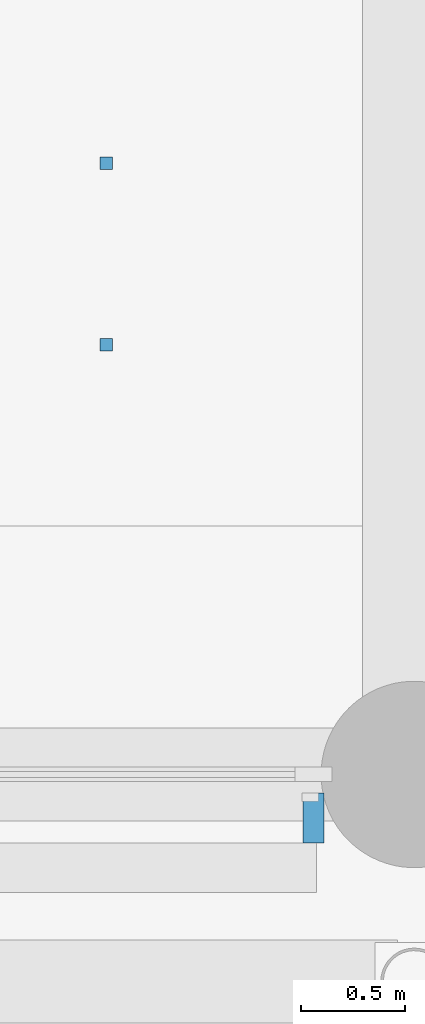
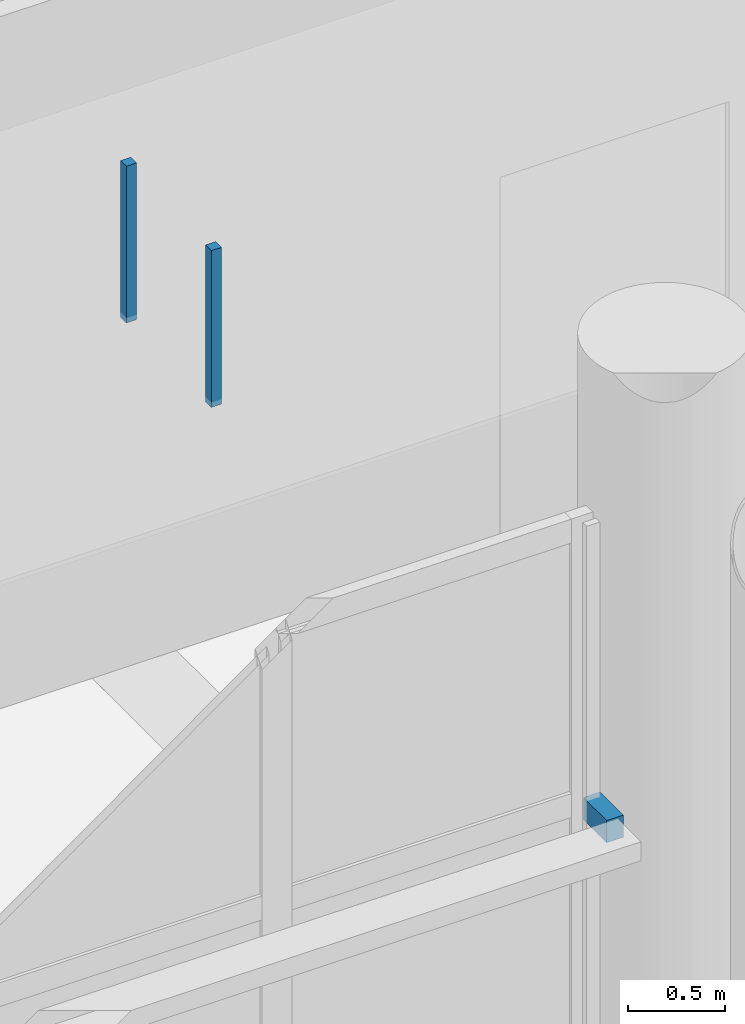
# One storey, part 71 of 140: 3 discrete accessories.
"""IFC4 building model written with IfcOpenShell, lengths in metres."""

import ifcopenshell
import ifcopenshell.guid

model = None  # the IFC model being written
_history = None  # IfcOwnerHistory: only IFC2X3 demands one
_inside = {}  # id of a spatial element -> (the spatial element, [elements in it])
_under = {}  # id of a project, library or spatial element -> (it, [spatial elements below it])
_declared = {}  # id of a project -> (the project, [libraries it declares])
_typed = {}  # id of a type object -> (the type object, [elements of that type])
_made_of = {}  # id of a material, layer set ... -> (it, [elements and type objects made of it])


def new_model(schema):
    """Start an empty IFC model of exactly this schema.

    Asked for "IFC4X3", IfcOpenShell would pick the latest addendum, in which some entities
    have other attributes; the version numbers below select the first issue.
    IFC2X3 requires an IfcOwnerHistory on every rooted entity: one is made here for all.
    """
    global model, _history
    if schema == "IFC4X3":
        model = ifcopenshell.file(schema_version=(4, 3, 0, 0))
    else:
        model = ifcopenshell.file(schema=schema)
    _inside.clear()
    _under.clear()
    _declared.clear()
    _typed.clear()
    _made_of.clear()
    _history = None
    if model.schema == "IFC2X3":
        org = make("IfcOrganization", Name="unknown")
        user = make(
            "IfcPersonAndOrganization",
            ThePerson=make("IfcPerson", FamilyName="unknown"),
            TheOrganization=org,
        )
        app = make(
            "IfcApplication",
            ApplicationDeveloper=org,
            Version="unknown",
            ApplicationFullName="unknown",
            ApplicationIdentifier="unknown",
        )
        _history = make(
            "IfcOwnerHistory",
            OwningUser=user,
            OwningApplication=app,
            ChangeAction="ADDED",
            CreationDate=0,
        )
    return model


def make(cls, **values):
    """One entity of the class cls with the attributes given. An attribute that is None is left unset."""
    return model.create_entity(
        cls, **{name: value for name, value in values.items() if value is not None}
    )


def rooted(cls, **values):
    """An entity with a GlobalId (a new one), such as an element, a storey or a relation."""
    return make(cls, GlobalId=ifcopenshell.guid.new(), OwnerHistory=_history, **values)


def si_unit(unit_type, name, prefix=None):
    """IfcSIUnit, for example si_unit("LENGTHUNIT", "METRE", prefix="MILLI")."""
    return make("IfcSIUnit", UnitType=unit_type, Prefix=prefix, Name=name)


def assignment(units):
    """IfcUnitAssignment: the units of a project."""
    return None if units is None else make("IfcUnitAssignment", Units=units)


def point(xyz):
    """IfcCartesianPoint."""
    return None if xyz is None else make("IfcCartesianPoint", Coordinates=xyz)


def direction(xyz):
    """IfcDirection."""
    return None if xyz is None else make("IfcDirection", DirectionRatios=xyz)


def frame(location, z_axis=None, x_axis=None):
    """IfcAxis2Placement3D, a coordinate frame: its origin and axes. An axis left out is left unset."""
    return make(
        "IfcAxis2Placement3D",
        Location=point(location),
        Axis=direction(z_axis),
        RefDirection=direction(x_axis),
    )


def frame_2d(location, x_axis=None):
    """IfcAxis2Placement2D, a coordinate frame in the plane: its origin and x axis."""
    return make(
        "IfcAxis2Placement2D", Location=point(location), RefDirection=direction(x_axis)
    )


def origin():
    """The frame at (0, 0, 0) with its axes left unset."""
    return frame((0.0, 0.0, 0.0))


def origin_2d():
    """The frame at (0, 0) in the plane with its x axis left unset."""
    return frame_2d((0.0, 0.0))


def place(relative_to, where):
    """IfcLocalPlacement: puts the frame where relative to a parent placement (None: the world)."""
    return make(
        "IfcLocalPlacement", PlacementRelTo=relative_to, RelativePlacement=where
    )


def context(
    kind, dimensions, precision=None, world=None, true_north=None, identifier=None
):
    """IfcGeometricRepresentationContext, for example the 3D "Model" context."""
    return make(
        "IfcGeometricRepresentationContext",
        ContextIdentifier=identifier,
        ContextType=kind,
        CoordinateSpaceDimension=dimensions,
        Precision=precision,
        WorldCoordinateSystem=world,
        TrueNorth=true_north,
    )


def subcontext(parent, identifier, kind, view, scale=None):
    """IfcGeometricRepresentationSubContext, for example "Body" below "Model"."""
    return make(
        "IfcGeometricRepresentationSubContext",
        ContextIdentifier=identifier,
        ContextType=kind,
        ParentContext=parent,
        TargetScale=scale,
        TargetView=view,
    )


def project(units=None, contexts=None):
    """IfcProject with its units and contexts."""
    return rooted(
        "IfcProject",
        Name="project",
        RepresentationContexts=contexts,
        UnitsInContext=assignment(units),
    )


def spatial(cls, under=None, at=None, **own):
    """A site, building, storey or space (cls), placed at a placement, below another one or the project."""
    s = rooted(cls, ObjectPlacement=at, **own)
    if under is not None:
        _under.setdefault(under.id(), (under, []))[1].append(s)
    return s


def profile(cls, at=None, kind="AREA", **sizes):
    """A parametric profile (cls). Its sizes go by their IFC names, for example OverallWidth=200.0."""
    return make(cls, ProfileType=kind, Position=at, **sizes)


def rectangle(**sizes):
    """IfcRectangleProfileDef."""
    return profile("IfcRectangleProfileDef", **sizes)


def extrude(swept, where, along, depth):
    """IfcExtrudedAreaSolid: the profile swept, set in the frame where, extruded along a direction by depth."""
    return make(
        "IfcExtrudedAreaSolid",
        SweptArea=swept,
        Position=where,
        ExtrudedDirection=direction(along),
        Depth=depth,
    )


def shape(context_of_items, identifier, shape_type, items):
    """IfcShapeRepresentation: the items that make up one representation, for example the "Body"."""
    return make(
        "IfcShapeRepresentation",
        ContextOfItems=context_of_items,
        RepresentationIdentifier=identifier,
        RepresentationType=shape_type,
        Items=items,
    )


def material(Name=None, Category=None):
    """IfcMaterial."""
    return make("IfcMaterial", Name=Name, Category=Category)


def made_of(thing, what):
    """Note that an element or type object is made of a material, layer set ...; save() writes the relation."""
    if what is not None:
        _made_of.setdefault(what.id(), (what, []))[1].append(thing)
    return thing


def type_object(cls, material=None, **own):
    """A type object (cls), such as IfcWallType, which elements share."""
    return made_of(rooted(cls, **own), material)


def element(
    cls,
    number,
    at=None,
    inside=None,
    cuts=None,
    type_object=None,
    material=None,
    context=None,
    identifier="Body",
    shape_type=None,
    held_by="IfcProductDefinitionShape",
    body=None,
    shapes=None,
    **own,
):
    """One element of the class cls, such as IfcWall. Its Tag is "e" and its number.

    at: its placement. inside: the storey or other place that contains it. cuts: it is an
    opening in that element (IfcRelVoidsElement). A single representation is given by context,
    identifier, shape_type and body (its items); several are given by shapes. held_by: the class
    of the entity that holds the representations. save() writes the other relations.
    """
    e = rooted(cls, Tag="e%d" % number, ObjectPlacement=at, **own)
    if body is not None:
        shapes = [shape(context, identifier, shape_type, body)]
    if shapes is not None:
        e.Representation = make(held_by, Representations=shapes)
    if inside is not None:
        _inside.setdefault(inside.id(), (inside, []))[1].append(e)
    if cuts is not None:
        rooted(
            "IfcRelVoidsElement", RelatingBuildingElement=cuts, RelatedOpeningElement=e
        )
    if type_object is not None:
        _typed.setdefault(type_object.id(), (type_object, []))[1].append(e)
    return made_of(e, material)


def aggregate(whole, parts):
    """IfcRelAggregates: a whole, such as a stair, and the parts it consists of."""
    return rooted("IfcRelAggregates", RelatingObject=whole, RelatedObjects=parts)


def save(model, path):
    """Write the relations noted so far, then the file.

    IfcRelAggregates (storeys below a building ...), IfcRelContainedInSpatialStructure (elements
    in a storey), IfcRelDefinesByType, IfcRelAssociatesMaterial and IfcRelDeclares: one each for
    every whole, place, type object, material and project.
    """
    for whole, parts in _under.values():
        aggregate(whole, parts)
    for where, things in _inside.values():
        rooted(
            "IfcRelContainedInSpatialStructure",
            RelatedElements=things,
            RelatingStructure=where,
        )
    for kind, things in _typed.values():
        rooted("IfcRelDefinesByType", RelatedObjects=things, RelatingType=kind)
    for what, things in _made_of.values():
        rooted("IfcRelAssociatesMaterial", RelatedObjects=things, RelatingMaterial=what)
    for by, libraries in _declared.values():
        rooted("IfcRelDeclares", RelatingContext=by, RelatedDefinitions=libraries)
    model.write(path)


model = new_model("IFC4")

# Units and contexts
model_context = context("Model", 3, precision=1e-05, world=origin(), true_north=direction((0.0, 1.0)))
body_context = subcontext(model_context, "Body", "Model", "MODEL_VIEW")
ifc_project = project(units=[si_unit("LENGTHUNIT", "METRE"), si_unit("AREAUNIT", "SQUARE_METRE"), si_unit("VOLUMEUNIT", "CUBIC_METRE"), si_unit("PLANEANGLEUNIT", "RADIAN"), si_unit("MASSUNIT", "GRAM", prefix="KILO")], contexts=[model_context])

# Site, building, storey
site_placement = place(None, origin())
site = spatial("IfcSite", under=ifc_project, at=site_placement, CompositionType="ELEMENT")
building_placement = place(site_placement, origin())
building = spatial("IfcBuilding", under=site, at=building_placement, Name="Telukmera Botanical Conservatory", CompositionType="ELEMENT")
storey_placement = place(building_placement, origin())
storey = spatial("IfcBuildingStorey", under=building, at=storey_placement, Name="L00", CompositionType="ELEMENT", Elevation=0.0)

# Discrete accessories
ifc_material = material(Name="Steel S355", Category="steel")
discrete_accessory_type_1 = type_object("IfcDiscreteAccessoryType", Name="ACC-CEIL-HGR", PredefinedType="BRACKET", material=ifc_material)
for number, where, z_axis, x_axis, name in (
    (1, (32.114013671875, 19.675048828125, 4.2197265625), (0.0, 0.0, 1.0), (1.0, 0.0, 0.0), "L00 Suspended Ceiling Hanger Rod 013-1"),
    (2, (32.114013671875, 20.550048828125, 4.2197265625), (0.0, 0.0, 1.0), (1.0, 0.0, 0.0), "L00 Suspended Ceiling Hanger Rod 013-2"),
):
    element("IfcDiscreteAccessory", number, at=place(storey_placement, frame(where, z_axis=z_axis, x_axis=x_axis)), inside=storey, type_object=discrete_accessory_type_1, Name=name, PredefinedType="BRACKET", context=body_context, shape_type="SweptSolid", body=[
        extrude(rectangle(XDim=0.06005859375, YDim=0.06005859375, at=origin_2d()), origin(), (0.0, 0.0, 1.0), 0.985107421875),
    ])
discrete_accessory_type_2 = type_object("IfcDiscreteAccessoryType", Name="Structural Steel Facade Outrigger Fin Bracket", PredefinedType="BRACKET", material=ifc_material)
discrete_accessory_placement = place(storey_placement, frame((33.113037109375, 17.389892578125, 2.580078125), z_axis=(0.0, 0.0, 1.0), x_axis=(1.0, 0.0, 0.0)))
element("IfcDiscreteAccessory", 3, at=discrete_accessory_placement, inside=storey, type_object=discrete_accessory_type_2, Name="Facade Outrigger Bracket V3:L00:S3 B", PredefinedType="BRACKET", context=body_context, shape_type="SweptSolid", body=[
    extrude(rectangle(XDim=0.10009765625, YDim=0.239990234375, at=origin_2d()), origin(), (0.0, 0.0, 1.0), 0.139892578125),
])

save(model, "model.ifc")
